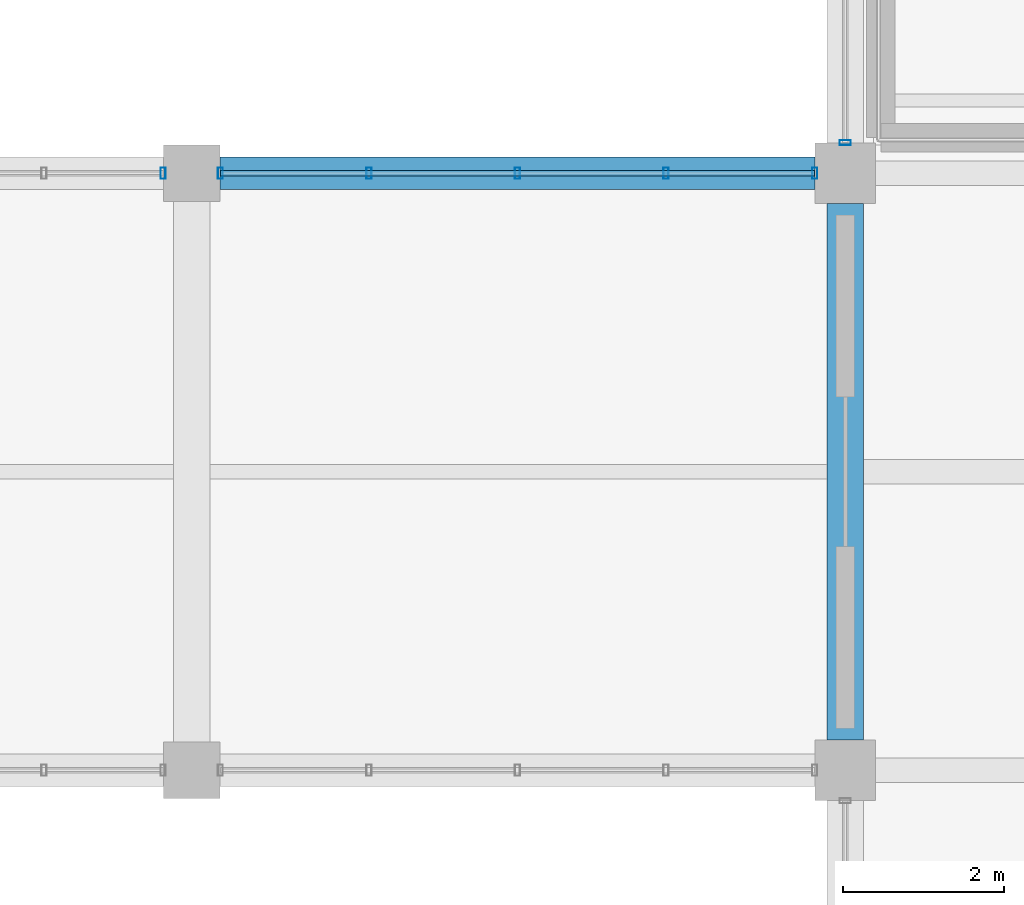
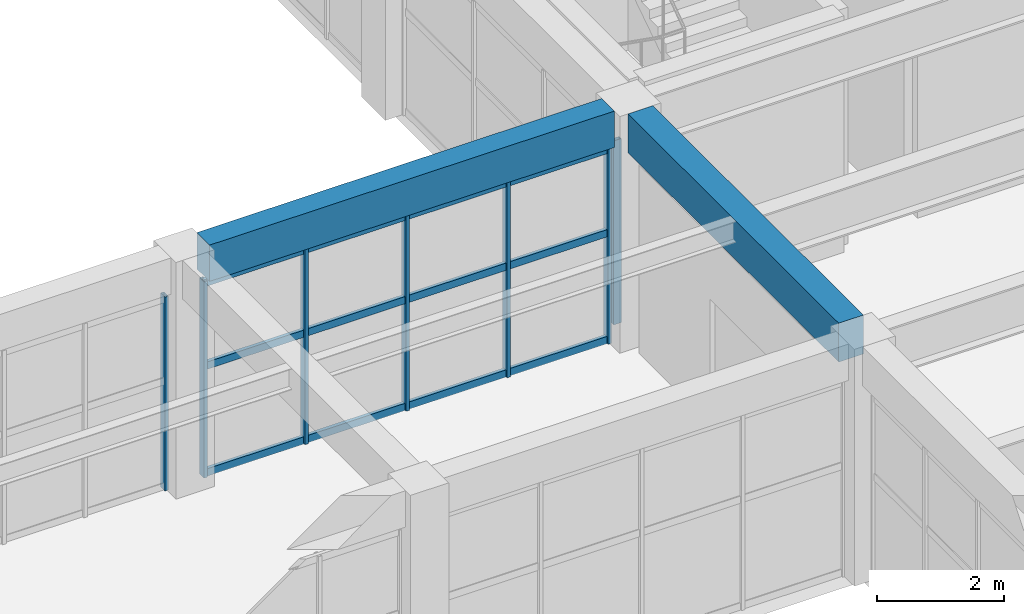
# One storey, part 50 of 161: 10 members, 2 beams, 3 elements without a shape of their own.
"""IFC4 building model written with IfcOpenShell, lengths in metres."""

import ifcopenshell
import ifcopenshell.guid

model = None  # the IFC model being written
_history = None  # IfcOwnerHistory: only IFC2X3 demands one
_inside = {}  # id of a spatial element -> (the spatial element, [elements in it])
_under = {}  # id of a project, library or spatial element -> (it, [spatial elements below it])
_declared = {}  # id of a project -> (the project, [libraries it declares])
_typed = {}  # id of a type object -> (the type object, [elements of that type])
_made_of = {}  # id of a material, layer set ... -> (it, [elements and type objects made of it])


def new_model(schema):
    """Start an empty IFC model of exactly this schema.

    Asked for "IFC4X3", IfcOpenShell would pick the latest addendum, in which some entities
    have other attributes; the version numbers below select the first issue.
    IFC2X3 requires an IfcOwnerHistory on every rooted entity: one is made here for all.
    """
    global model, _history
    if schema == "IFC4X3":
        model = ifcopenshell.file(schema_version=(4, 3, 0, 0))
    else:
        model = ifcopenshell.file(schema=schema)
    _inside.clear()
    _under.clear()
    _declared.clear()
    _typed.clear()
    _made_of.clear()
    _history = None
    if model.schema == "IFC2X3":
        org = make("IfcOrganization", Name="unknown")
        user = make(
            "IfcPersonAndOrganization",
            ThePerson=make("IfcPerson", FamilyName="unknown"),
            TheOrganization=org,
        )
        app = make(
            "IfcApplication",
            ApplicationDeveloper=org,
            Version="unknown",
            ApplicationFullName="unknown",
            ApplicationIdentifier="unknown",
        )
        _history = make(
            "IfcOwnerHistory",
            OwningUser=user,
            OwningApplication=app,
            ChangeAction="ADDED",
            CreationDate=0,
        )
    return model


def make(cls, **values):
    """One entity of the class cls with the attributes given. An attribute that is None is left unset."""
    return model.create_entity(
        cls, **{name: value for name, value in values.items() if value is not None}
    )


def rooted(cls, **values):
    """An entity with a GlobalId (a new one), such as an element, a storey or a relation."""
    return make(cls, GlobalId=ifcopenshell.guid.new(), OwnerHistory=_history, **values)


def si_unit(unit_type, name, prefix=None):
    """IfcSIUnit, for example si_unit("LENGTHUNIT", "METRE", prefix="MILLI")."""
    return make("IfcSIUnit", UnitType=unit_type, Prefix=prefix, Name=name)


def assignment(units):
    """IfcUnitAssignment: the units of a project."""
    return None if units is None else make("IfcUnitAssignment", Units=units)


def point(xyz):
    """IfcCartesianPoint."""
    return None if xyz is None else make("IfcCartesianPoint", Coordinates=xyz)


def direction(xyz):
    """IfcDirection."""
    return None if xyz is None else make("IfcDirection", DirectionRatios=xyz)


def frame(location, z_axis=None, x_axis=None):
    """IfcAxis2Placement3D, a coordinate frame: its origin and axes. An axis left out is left unset."""
    return make(
        "IfcAxis2Placement3D",
        Location=point(location),
        Axis=direction(z_axis),
        RefDirection=direction(x_axis),
    )


def frame_2d(location, x_axis=None):
    """IfcAxis2Placement2D, a coordinate frame in the plane: its origin and x axis."""
    return make(
        "IfcAxis2Placement2D", Location=point(location), RefDirection=direction(x_axis)
    )


def origin():
    """The frame at (0, 0, 0) with its axes left unset."""
    return frame((0.0, 0.0, 0.0))


def origin_2d():
    """The frame at (0, 0) in the plane with its x axis left unset."""
    return frame_2d((0.0, 0.0))


def place(relative_to, where):
    """IfcLocalPlacement: puts the frame where relative to a parent placement (None: the world)."""
    return make(
        "IfcLocalPlacement", PlacementRelTo=relative_to, RelativePlacement=where
    )


def context(
    kind, dimensions, precision=None, world=None, true_north=None, identifier=None
):
    """IfcGeometricRepresentationContext, for example the 3D "Model" context."""
    return make(
        "IfcGeometricRepresentationContext",
        ContextIdentifier=identifier,
        ContextType=kind,
        CoordinateSpaceDimension=dimensions,
        Precision=precision,
        WorldCoordinateSystem=world,
        TrueNorth=true_north,
    )


def subcontext(parent, identifier, kind, view, scale=None):
    """IfcGeometricRepresentationSubContext, for example "Body" below "Model"."""
    return make(
        "IfcGeometricRepresentationSubContext",
        ContextIdentifier=identifier,
        ContextType=kind,
        ParentContext=parent,
        TargetScale=scale,
        TargetView=view,
    )


def project(units=None, contexts=None):
    """IfcProject with its units and contexts."""
    return rooted(
        "IfcProject",
        Name="project",
        RepresentationContexts=contexts,
        UnitsInContext=assignment(units),
    )


def spatial(cls, under=None, at=None, **own):
    """A site, building, storey or space (cls), placed at a placement, below another one or the project."""
    s = rooted(cls, ObjectPlacement=at, **own)
    if under is not None:
        _under.setdefault(under.id(), (under, []))[1].append(s)
    return s


def profile(cls, at=None, kind="AREA", **sizes):
    """A parametric profile (cls). Its sizes go by their IFC names, for example OverallWidth=200.0."""
    return make(cls, ProfileType=kind, Position=at, **sizes)


def rectangle(**sizes):
    """IfcRectangleProfileDef."""
    return profile("IfcRectangleProfileDef", **sizes)


def hollow_rectangle(**sizes):
    """IfcRectangleHollowProfileDef."""
    return profile("IfcRectangleHollowProfileDef", **sizes)


def extrude(swept, where, along, depth):
    """IfcExtrudedAreaSolid: the profile swept, set in the frame where, extruded along a direction by depth."""
    return make(
        "IfcExtrudedAreaSolid",
        SweptArea=swept,
        Position=where,
        ExtrudedDirection=direction(along),
        Depth=depth,
    )


def shape(context_of_items, identifier, shape_type, items):
    """IfcShapeRepresentation: the items that make up one representation, for example the "Body"."""
    return make(
        "IfcShapeRepresentation",
        ContextOfItems=context_of_items,
        RepresentationIdentifier=identifier,
        RepresentationType=shape_type,
        Items=items,
    )


def material(Name=None, Category=None):
    """IfcMaterial."""
    return make("IfcMaterial", Name=Name, Category=Category)


def material_profile(
    of_material, cross_section, Name=None, Category=None, Priority=None
):
    """IfcMaterialProfile: a cross section and its material."""
    return make(
        "IfcMaterialProfile",
        Name=Name,
        Material=of_material,
        Profile=cross_section,
        Priority=Priority,
        Category=Category,
    )


def profile_set(profiles, Name=None, composite=None):
    """IfcMaterialProfileSet."""
    return make(
        "IfcMaterialProfileSet",
        Name=Name,
        MaterialProfiles=profiles,
        CompositeProfile=composite,
    )


def made_of(thing, what):
    """Note that an element or type object is made of a material, layer set ...; save() writes the relation."""
    if what is not None:
        _made_of.setdefault(what.id(), (what, []))[1].append(thing)
    return thing


def type_object(cls, material=None, **own):
    """A type object (cls), such as IfcWallType, which elements share."""
    return made_of(rooted(cls, **own), material)


def element(
    cls,
    number,
    at=None,
    inside=None,
    cuts=None,
    type_object=None,
    material=None,
    context=None,
    identifier="Body",
    shape_type=None,
    held_by="IfcProductDefinitionShape",
    body=None,
    shapes=None,
    **own,
):
    """One element of the class cls, such as IfcWall. Its Tag is "e" and its number.

    at: its placement. inside: the storey or other place that contains it. cuts: it is an
    opening in that element (IfcRelVoidsElement). A single representation is given by context,
    identifier, shape_type and body (its items); several are given by shapes. held_by: the class
    of the entity that holds the representations. save() writes the other relations.
    """
    e = rooted(cls, Tag="e%d" % number, ObjectPlacement=at, **own)
    if body is not None:
        shapes = [shape(context, identifier, shape_type, body)]
    if shapes is not None:
        e.Representation = make(held_by, Representations=shapes)
    if inside is not None:
        _inside.setdefault(inside.id(), (inside, []))[1].append(e)
    if cuts is not None:
        rooted(
            "IfcRelVoidsElement", RelatingBuildingElement=cuts, RelatedOpeningElement=e
        )
    if type_object is not None:
        _typed.setdefault(type_object.id(), (type_object, []))[1].append(e)
    return made_of(e, material)


def aggregate(whole, parts):
    """IfcRelAggregates: a whole, such as a stair, and the parts it consists of."""
    return rooted("IfcRelAggregates", RelatingObject=whole, RelatedObjects=parts)


def save(model, path):
    """Write the relations noted so far, then the file.

    IfcRelAggregates (storeys below a building ...), IfcRelContainedInSpatialStructure (elements
    in a storey), IfcRelDefinesByType, IfcRelAssociatesMaterial and IfcRelDeclares: one each for
    every whole, place, type object, material and project.
    """
    for whole, parts in _under.values():
        aggregate(whole, parts)
    for where, things in _inside.values():
        rooted(
            "IfcRelContainedInSpatialStructure",
            RelatedElements=things,
            RelatingStructure=where,
        )
    for kind, things in _typed.values():
        rooted("IfcRelDefinesByType", RelatedObjects=things, RelatingType=kind)
    for what, things in _made_of.values():
        rooted("IfcRelAssociatesMaterial", RelatedObjects=things, RelatingMaterial=what)
    for by, libraries in _declared.values():
        rooted("IfcRelDeclares", RelatingContext=by, RelatedDefinitions=libraries)
    model.write(path)


model = new_model("IFC4")

# Units and contexts
model_context = context("Model", 3, precision=1e-05, world=origin(), true_north=direction((0.0, 1.0)))
body_context = subcontext(model_context, "Body", "Model", "MODEL_VIEW")
ifc_project = project(units=[si_unit("LENGTHUNIT", "METRE"), si_unit("AREAUNIT", "SQUARE_METRE"), si_unit("VOLUMEUNIT", "CUBIC_METRE"), si_unit("PLANEANGLEUNIT", "RADIAN"), si_unit("MASSUNIT", "GRAM", prefix="KILO")], contexts=[model_context])

# Site, building, storey
site_placement = place(None, origin())
site = spatial("IfcSite", under=ifc_project, at=site_placement, CompositionType="ELEMENT")
building_placement = place(site_placement, origin())
building = spatial("IfcBuilding", under=site, at=building_placement, Name="Cimatlan Art Gallery", CompositionType="ELEMENT")
storey_placement = place(building_placement, frame((0.0, 0.0, 5.39990234375)))
storey = spatial("IfcBuildingStorey", under=building, at=storey_placement, Name="L01", CompositionType="ELEMENT", Elevation=5.39990234375)

# Beams
ifc_material_1 = material(Name="Concrete C40/50", Category="concrete")
ifc_material_profile_1 = material_profile(ifc_material_1, rectangle(XDim=0.39990234375, YDim=0.699951171875, at=origin_2d()), Name="RC400X700")
ifc_profile_set_1 = profile_set([ifc_material_profile_1], Name="Concrete C40/50")
beam_type_1 = type_object("IfcBeamType", Name="BM-RC-400X700", PredefinedType="BEAM", material=ifc_profile_set_1)
beam_1_placement = place(storey_placement, frame((67.14990234375, 60.89990234375, 4.210205078125), z_axis=(1.0, 0.0, 0.0), x_axis=(0.0, 1.0, 0.0)))
element("IfcBeam", 1, at=beam_1_placement, inside=storey, type_object=beam_type_1, Name="BM-X-L01-08-08", PredefinedType="BEAM", context=body_context, shape_type="SweptSolid", body=[
    extrude(rectangle(XDim=0.39990234375, YDim=0.699951171875, at=origin_2d()), origin(), (0.0, 0.0, 1.0), 7.375),
])
ifc_material_profile_2 = material_profile(ifc_material_1, rectangle(XDim=0.449951171875, YDim=0.75, at=origin_2d()), Name="RC450X750")
ifc_profile_set_2 = profile_set([ifc_material_profile_2], Name="Concrete C40/50")
beam_type_2 = type_object("IfcBeamType", Name="BM-RC-450X750", PredefinedType="BEAM", material=ifc_profile_set_2)
beam_2_placement = place(storey_placement, frame((74.89990234375, 53.875, 4.18505859375), z_axis=(0.0, 1.0, 0.0), x_axis=(-1.0, 0.0, 0.0)))
element("IfcBeam", 2, at=beam_2_placement, inside=storey, type_object=beam_type_2, Name="BM-Y-L01-09-07", PredefinedType="BEAM", context=body_context, shape_type="SweptSolid", body=[
    extrude(rectangle(XDim=0.449951171875, YDim=0.75, at=origin_2d()), origin(), (0.0, 0.0, 1.0), 6.64990234375),
])

# Curtain wall, member
ifc_material_2 = material(Name="Anodised bronze unitised curtain wall")
curtain_wall_type_1 = type_object("IfcCurtainWallType", Name="CW-V-07392X03735-B5", PredefinedType="NOTDEFINED", material=ifc_material_2)
curtain_wall_1_placement = place(storey_placement, origin())
curtain_wall_1 = element("IfcCurtainWall", 3, at=curtain_wall_1_placement, inside=storey, type_object=curtain_wall_type_1, Name="CW-L01-07-07-N", PredefinedType="NOTDEFINED")
ifc_material_3 = material(Name="Anodised bronze aluminium 6063-T6", Category="aluminium")
ifc_material_profile_3 = material_profile(ifc_material_3, hollow_rectangle(XDim=0.06494140625, YDim=0.139892578125, WallThickness=0.00390625, at=origin_2d()), Name="ALU65X140X4")
ifc_profile_set_3 = profile_set([ifc_material_profile_3], Name="Anodised bronze aluminium 6063-T6")
member_type_1 = type_object("IfcMemberType", Name="CW-MUL-140", PredefinedType="MULLION", material=ifc_profile_set_3)
member_1_placement = place(storey_placement, frame((66.446044921875, 60.89990234375, 0.0), z_axis=(0.0, 0.0, 1.0), x_axis=(1.0, 0.0, 0.0)))
member_1 = element("IfcMember", 4, at=member_1_placement, type_object=member_type_1, Name="CW-L01-07-07-N-M6", PredefinedType="MULLION", context=body_context, shape_type="SweptSolid", body=[
    extrude(hollow_rectangle(XDim=0.06494140625, YDim=0.139892578125, WallThickness=0.00390625, at=origin_2d()), origin(), (0.0, 0.0, 1.0), 3.735107421875),
])
aggregate(curtain_wall_1, [member_1])

# Curtain wall, members
curtain_wall_type_2 = type_object("IfcCurtainWallType", Name="CW-V-07367X03780-B4", PredefinedType="NOTDEFINED", material=ifc_material_2)
curtain_wall_2_placement = place(storey_placement, origin())
curtain_wall_2 = element("IfcCurtainWall", 5, at=curtain_wall_2_placement, inside=storey, type_object=curtain_wall_type_2, Name="CW-L01-08-07-N", PredefinedType="NOTDEFINED")
member_2_placement = place(storey_placement, frame((67.154052734375, 60.89990234375, 0.0), z_axis=(0.0, 0.0, 1.0), x_axis=(1.0, 0.0, 0.0)))
member_2 = element("IfcMember", 6, at=member_2_placement, type_object=member_type_1, Name="CW-L01-08-07-N-M1", PredefinedType="MULLION", context=body_context, shape_type="SweptSolid", body=[
    extrude(hollow_rectangle(XDim=0.06494140625, YDim=0.139892578125, WallThickness=0.00390625, at=origin_2d()), origin(), (0.0, 0.0, 1.0), 3.780029296875),
])
member_3_placement = place(storey_placement, frame((68.995849609375, 60.89990234375, 0.0), z_axis=(0.0, 0.0, 1.0), x_axis=(1.0, 0.0, 0.0)))
member_3 = element("IfcMember", 7, at=member_3_placement, type_object=member_type_1, Name="CW-L01-08-07-N-M2", PredefinedType="MULLION", context=body_context, shape_type="SweptSolid", body=[
    extrude(hollow_rectangle(XDim=0.06494140625, YDim=0.139892578125, WallThickness=0.00390625, at=origin_2d()), origin(), (0.0, 0.0, 1.0), 3.780029296875),
])
member_4_placement = place(storey_placement, frame((70.83740234375, 60.89990234375, 0.0), z_axis=(0.0, 0.0, 1.0), x_axis=(1.0, 0.0, 0.0)))
member_4 = element("IfcMember", 8, at=member_4_placement, type_object=member_type_1, Name="CW-L01-08-07-N-M3", PredefinedType="MULLION", context=body_context, shape_type="SweptSolid", body=[
    extrude(hollow_rectangle(XDim=0.06494140625, YDim=0.139892578125, WallThickness=0.00390625, at=origin_2d()), origin(), (0.0, 0.0, 1.0), 3.780029296875),
])
member_5_placement = place(storey_placement, frame((72.67919921875, 60.89990234375, 0.0), z_axis=(0.0, 0.0, 1.0), x_axis=(1.0, 0.0, 0.0)))
member_5 = element("IfcMember", 9, at=member_5_placement, type_object=member_type_1, Name="CW-L01-08-07-N-M4", PredefinedType="MULLION", context=body_context, shape_type="SweptSolid", body=[
    extrude(hollow_rectangle(XDim=0.06494140625, YDim=0.139892578125, WallThickness=0.00390625, at=origin_2d()), origin(), (0.0, 0.0, 1.0), 3.780029296875),
])
member_6_placement = place(storey_placement, frame((74.52099609375, 60.89990234375, 0.0), z_axis=(0.0, 0.0, 1.0), x_axis=(1.0, 0.0, 0.0)))
member_6 = element("IfcMember", 10, at=member_6_placement, type_object=member_type_1, Name="CW-L01-08-07-N-M5", PredefinedType="MULLION", context=body_context, shape_type="SweptSolid", body=[
    extrude(hollow_rectangle(XDim=0.06494140625, YDim=0.139892578125, WallThickness=0.00390625, at=origin_2d()), origin(), (0.0, 0.0, 1.0), 3.780029296875),
])

# Curtain wall, member
curtain_wall_type_3 = type_object("IfcCurtainWallType", Name="CW-V-06642X03547-B3", PredefinedType="NOTDEFINED", material=ifc_material_2)
curtain_wall_3_placement = place(storey_placement, origin())
curtain_wall_3 = element("IfcCurtainWall", 11, at=curtain_wall_3_placement, inside=storey, type_object=curtain_wall_type_3, Name="CW-L01-09-08-W", PredefinedType="NOTDEFINED")
member_7_placement = place(storey_placement, frame((74.89990234375, 61.279052734375, 0.0), z_axis=(0.0, 0.0, 1.0), x_axis=(0.0, 1.0, 0.0)))
member_7 = element("IfcMember", 12, at=member_7_placement, type_object=member_type_1, Name="CW-L01-09-08-W-M1", PredefinedType="MULLION", context=body_context, shape_type="SweptSolid", body=[
    extrude(hollow_rectangle(XDim=0.06494140625, YDim=0.139892578125, WallThickness=0.00390625, at=origin_2d()), origin(), (0.0, 0.0, 1.0), 3.547119140625),
])
aggregate(curtain_wall_3, [member_7])

# Member
ifc_material_profile_4 = material_profile(ifc_material_3, hollow_rectangle(XDim=0.06494140625, YDim=0.139892578125, WallThickness=0.00390625, at=origin_2d()), Name="ALU65X140X4")
ifc_profile_set_4 = profile_set([ifc_material_profile_4], Name="Anodised bronze aluminium 6063-T6")
member_type_2 = type_object("IfcMemberType", Name="CW-TRN-140", PredefinedType="USERDEFINED", material=ifc_profile_set_4)
member_8_placement = place(storey_placement, frame((67.154052734375, 60.89990234375, 0.06005859375), z_axis=(1.0, 0.0, 0.0), x_axis=(0.0, 1.0, 0.0)))
member_8 = element("IfcMember", 13, at=member_8_placement, type_object=member_type_2, Name="CW-L01-08-07-N-T1", ObjectType="TRANSOM", PredefinedType="USERDEFINED", context=body_context, shape_type="SweptSolid", body=[
    extrude(hollow_rectangle(XDim=0.06494140625, YDim=0.139892578125, WallThickness=0.00390625, at=origin_2d()), origin(), (0.0, 0.0, 1.0), 7.366943359375),
])

member_9_placement = place(storey_placement, frame((67.154052734375, 60.89990234375, 2.116943359375), z_axis=(1.0, 0.0, 0.0), x_axis=(0.0, 1.0, 0.0)))
member_9 = element("IfcMember", 14, at=member_9_placement, type_object=member_type_2, Name="CW-L01-08-07-N-T2", ObjectType="TRANSOM", PredefinedType="USERDEFINED", context=body_context, shape_type="SweptSolid", body=[
    extrude(hollow_rectangle(XDim=0.06494140625, YDim=0.139892578125, WallThickness=0.00390625, at=origin_2d()), origin(), (0.0, 0.0, 1.0), 7.366943359375),
])

member_10_placement = place(storey_placement, frame((67.154052734375, 60.89990234375, 3.72021484375), z_axis=(1.0, 0.0, 0.0), x_axis=(0.0, 1.0, 0.0)))
member_10 = element("IfcMember", 15, at=member_10_placement, type_object=member_type_2, Name="CW-L01-08-07-N-T3", ObjectType="TRANSOM", PredefinedType="USERDEFINED", context=body_context, shape_type="SweptSolid", body=[
    extrude(hollow_rectangle(XDim=0.06494140625, YDim=0.139892578125, WallThickness=0.00390625, at=origin_2d()), origin(), (0.0, 0.0, 1.0), 7.366943359375),
])

aggregate(curtain_wall_2, [member_2, member_3, member_4, member_5, member_6, member_8, member_9, member_10])

save(model, "model.ifc")
